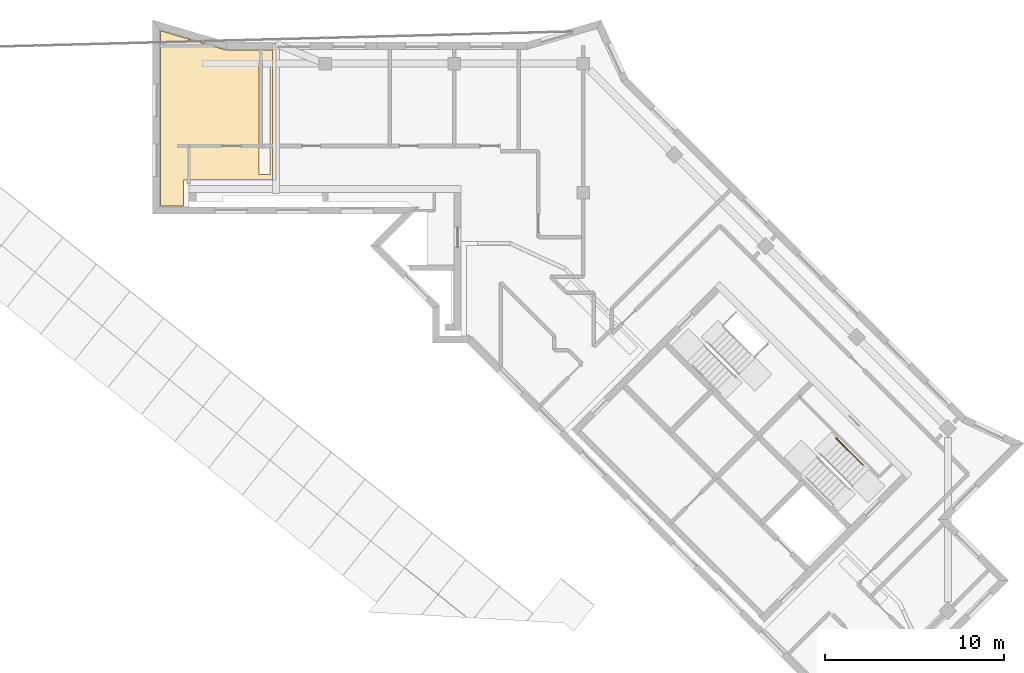
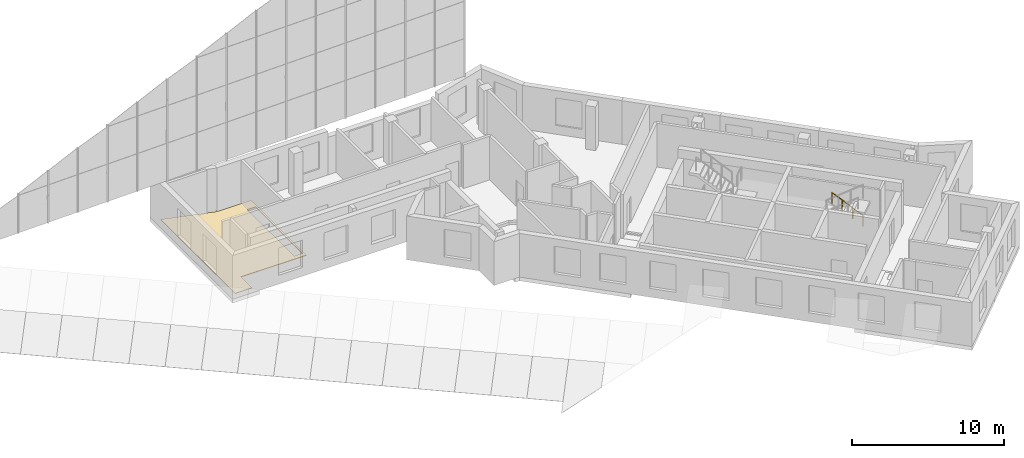
# One storey, part 13 of 13: 1 covering, 1 railing.
"""IFC4 building model written with IfcOpenShell, lengths in metres."""

from ifc_helpers import new_model, si_unit, direction, frame, origin, origin_2d, place, context, subcontext, project, spatial, polyline, circle, outline, extrude, material, layer, layer_set, type_object, element, save


model = new_model("IFC4")

# Units and contexts
model_context = context("Model", 3, precision=1e-05, world=origin(), true_north=direction((0.0, 1.0)))
body_context = subcontext(model_context, "Body", "Model", "MODEL_VIEW")
ifc_project = project(units=[si_unit("LENGTHUNIT", "METRE"), si_unit("AREAUNIT", "SQUARE_METRE"), si_unit("VOLUMEUNIT", "CUBIC_METRE"), si_unit("PLANEANGLEUNIT", "RADIAN"), si_unit("MASSUNIT", "GRAM", prefix="KILO")], contexts=[model_context])

# Site, building, storey
site_placement = place(None, origin())
site = spatial("IfcSite", under=ifc_project, at=site_placement, CompositionType="ELEMENT")
building_placement = place(site_placement, origin())
building = spatial("IfcBuilding", under=site, at=building_placement, Name="Windrow Commons", CompositionType="ELEMENT")
storey_placement = place(building_placement, frame((0.0, 0.0, 302.0)))
storey = spatial("IfcBuildingStorey", under=building, at=storey_placement, Name="L82", CompositionType="ELEMENT", Elevation=302.0)

# Railing
ifc_material_1 = material(Name="Steel S355", Category="steel")
railing_type = type_object("IfcRailingType", Name="Core stair handrail 900", PredefinedType="HANDRAIL", material=ifc_material_1)
railing_placement = place(storey_placement, frame((94.8306, 49.5883, 0.4614)))
element("IfcRailing", 1, at=railing_placement, inside=storey, type_object=railing_type, Name="L82 ST-B2 stair handrail 1", PredefinedType="HANDRAIL", context=body_context, shape_type="SweptSolid", body=[
    extrude(circle(Radius=0.024, at=origin_2d()), frame((0.0, 0.0, 0.876), z_axis=(-0.5851275679, 0.5850885359, 0.561513254), x_axis=(-0.7070831956, -0.707130366, 0.0)), (0.0, 0.0, 1.0), 2.562),
    extrude(circle(Radius=0.021, at=origin_2d()), origin(), (0.0, 0.0, 1.0), 0.852),
    extrude(circle(Radius=0.021, at=origin_2d()), frame((-0.4997, 0.4997, 0.4795)), (0.0, 0.0, 1.0), 0.852),
    extrude(circle(Radius=0.021, at=origin_2d()), frame((-0.9994, 0.9993, 0.9591)), (0.0, 0.0, 1.0), 0.852),
    extrude(circle(Radius=0.021, at=origin_2d()), frame((-1.4991, 1.499, 1.4386)), (0.0, 0.0, 1.0), 0.852),
])

# Covering
ifc_material_2 = material(Name="Granite pavers on waterproofing membrane", Category="masonry")
ifc_layer = layer(ifc_material_2, 0.05)
ifc_layer_set = layer_set([ifc_layer], Name="Terrace roofing 50")
covering_type = type_object("IfcCoveringType", Name="Terrace roofing 50", PredefinedType="ROOFING", material=ifc_layer_set)
covering_placement = place(storey_placement, origin())
element("IfcCovering", 2, at=covering_placement, inside=storey, type_object=covering_type, Name="Terrace roofing TR-L82-1", PredefinedType="ROOFING", context=body_context, shape_type="SweptSolid", body=[
    extrude(outline(polyline([(59.3108, 72.75), (61.857, 72.75), (61.857, 65.5), (56.9, 65.5), (56.9, 64.05), (55.617, 64.05), (55.617, 73.8308), (59.24, 72.7602), (59.3108, 73.0), (59.3108, 72.75)]), holes=[polyline([(61.727, 71.95), (61.107, 71.95), (61.107, 65.82), (61.727, 65.82), (61.727, 71.95)])]), origin(), (0.0, 0.0, 1.0), 0.05),
])

save(model, "model.ifc")
